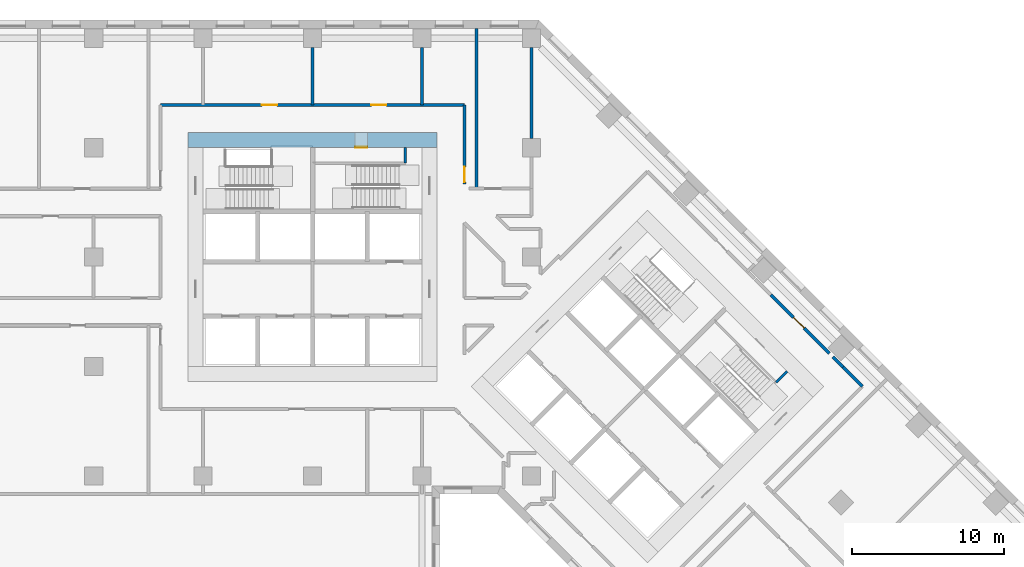
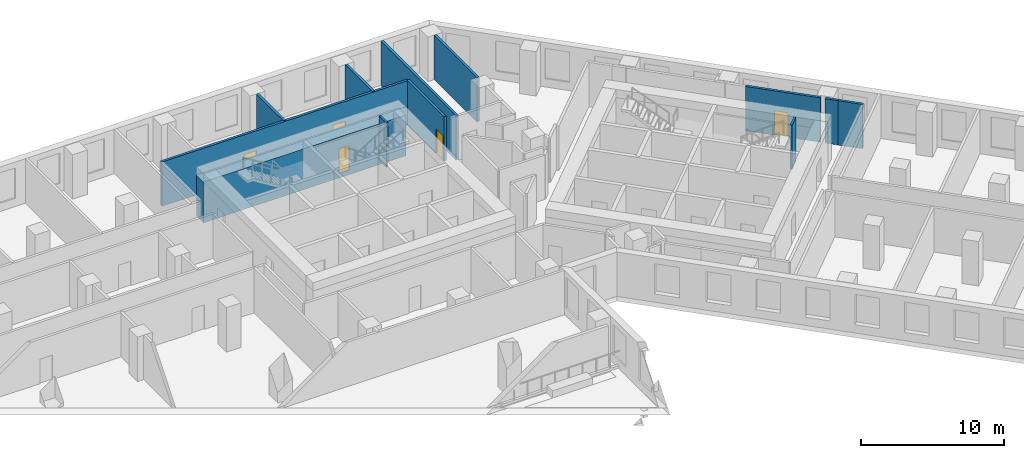
# One storey, part 9 of 13: 12 walls, 5 doors, 5 openings.
"""IFC4 building model written with IfcOpenShell, lengths in metres."""

from ifc_helpers import new_model, si_unit, direction, frame, frame_2d, origin, place, context, subcontext, project, spatial, rectangle, extrude, material, layer, layer_set, type_object, element, fill, save


model = new_model("IFC4")

# Units and contexts
model_context = context("Model", 3, precision=1e-05, world=origin(), true_north=direction((0.0, 1.0)))
body_context = subcontext(model_context, "Body", "Model", "MODEL_VIEW")
ifc_project = project(units=[si_unit("LENGTHUNIT", "METRE"), si_unit("AREAUNIT", "SQUARE_METRE"), si_unit("VOLUMEUNIT", "CUBIC_METRE"), si_unit("PLANEANGLEUNIT", "RADIAN"), si_unit("MASSUNIT", "GRAM", prefix="KILO")], contexts=[model_context])

# Site, building, storey
site_placement = place(None, origin())
site = spatial("IfcSite", under=ifc_project, at=site_placement, CompositionType="ELEMENT")
building_placement = place(site_placement, origin())
building = spatial("IfcBuilding", under=site, at=building_placement, Name="Windrow Commons", CompositionType="ELEMENT")
storey_placement = place(building_placement, frame((0.0, 0.0, 14.4)))
storey = spatial("IfcBuildingStorey", under=building, at=storey_placement, Name="L03", CompositionType="ELEMENT", Elevation=14.4)

# Wall, openings, doors
ifc_material_1 = material(Name="Blockwork partition", Category="masonry")
ifc_layer_1 = layer(ifc_material_1, 0.2)
ifc_layer_set_1 = layer_set([ifc_layer_1], Name="IW-CORRIDOR-200")
wall_type_1 = type_object("IfcWallType", Name="IW-CORRIDOR-200", PredefinedType="PARTITIONING", material=ifc_layer_set_1)
wall_1_placement = place(storey_placement, frame((54.8, 67.6, 0.0), z_axis=(0.0, 0.0, 1.0), x_axis=(1.0, 0.0, 0.0)))
wall_1 = element("IfcWall", 1, at=wall_1_placement, inside=storey, type_object=wall_type_1, Name="W-L03-W007", PredefinedType="PARTITIONING", context=body_context, shape_type="SweptSolid", body=[
    extrude(rectangle(XDim=20.0, YDim=0.2, at=frame_2d((10.0, 0.0))), origin(), (0.0, 0.0, 1.0), 3.8),
])
opening_1_placement = place(wall_1_placement, frame((6.6625, 0.0, 0.0)))
opening_1 = element("IfcOpeningElement", 2, at=opening_1_placement, cuts=wall_1, Name="Opening D310F", PredefinedType="OPENING", context=body_context, shape_type="SweptSolid", body=[
    extrude(rectangle(XDim=1.0, YDim=2.1, at=frame_2d((0.5, 1.05))), frame((0.0, 0.11, 0.0), z_axis=(0.0, -1.0, 0.0), x_axis=(1.0, 0.0, 0.0)), (0.0, 0.0, 1.0), 0.22),
])
opening_2_placement = place(wall_1_placement, frame((13.8625, 0.0, 0.0)))
opening_2 = element("IfcOpeningElement", 3, at=opening_2_placement, cuts=wall_1, Name="Opening D310F", PredefinedType="OPENING", context=body_context, shape_type="SweptSolid", body=[
    extrude(rectangle(XDim=1.0, YDim=2.1, at=frame_2d((0.5, 1.05))), frame((0.0, 0.11, 0.0), z_axis=(0.0, -1.0, 0.0), x_axis=(1.0, 0.0, 0.0)), (0.0, 0.0, 1.0), 0.22),
])
ifc_material_2 = material(Name="Timber door leaf", Category="wood")
door_type_1 = type_object("IfcDoorType", Name="DT-AMENITY-1000", OperationType="SINGLE_SWING_LEFT", PredefinedType="DOOR", material=ifc_material_2)
door_1_placement = place(opening_1_placement, origin())
door_1 = element("IfcDoor", 4, at=door_1_placement, inside=storey, type_object=door_type_1, Name="D-L03-D027", OperationType="SINGLE_SWING_RIGHT", OverallHeight=2.1, OverallWidth=1.0, PredefinedType="DOOR", context=body_context, shape_type="SweptSolid", body=[
    extrude(rectangle(XDim=1.0, YDim=2.1, at=frame_2d((0.5, 1.05))), frame((0.0, 0.025, 0.0), z_axis=(0.0, -1.0, 0.0), x_axis=(1.0, 0.0, 0.0)), (0.0, 0.0, 1.0), 0.05),
])
fill(opening_1, door_1)
door_2_placement = place(opening_2_placement, origin())
door_2 = element("IfcDoor", 5, at=door_2_placement, inside=storey, type_object=door_type_1, Name="D-L03-D028", OperationType="SINGLE_SWING_RIGHT", OverallHeight=2.1, OverallWidth=1.0, PredefinedType="DOOR", context=body_context, shape_type="SweptSolid", body=[
    extrude(rectangle(XDim=1.0, YDim=2.1, at=frame_2d((0.5, 1.05))), frame((0.0, 0.025, 0.0), z_axis=(0.0, -1.0, 0.0), x_axis=(1.0, 0.0, 0.0)), (0.0, 0.0, 1.0), 0.05),
])
fill(opening_2, door_2)

# Wall, opening, door
wall_2_placement = place(storey_placement, frame((94.9553, 55.1193, 0.0), z_axis=(0.0, 0.0, 1.0), x_axis=(0.7072721884, -0.7069413352, 0.0)))
wall_2 = element("IfcWall", 6, at=wall_2_placement, inside=storey, type_object=wall_type_1, Name="W-L03-W045", PredefinedType="PARTITIONING", context=body_context, shape_type="SweptSolid", body=[
    extrude(rectangle(XDim=5.4405, YDim=0.2, at=frame_2d((2.7203, 0.0))), origin(), (0.0, 0.0, 1.0), 3.8),
])
opening_3_placement = place(wall_2_placement, frame((2.1062, 0.0, 0.0)))
opening_3 = element("IfcOpeningElement", 7, at=opening_3_placement, cuts=wall_2, Name="Opening D410F", PredefinedType="OPENING", context=body_context, shape_type="SweptSolid", body=[
    extrude(rectangle(XDim=1.0, YDim=2.1, at=frame_2d((0.5, 1.05))), frame((0.0, 0.11, 0.0), z_axis=(0.0, -1.0, 0.0), x_axis=(1.0, 0.0, 0.0)), (0.0, 0.0, 1.0), 0.22),
])
ifc_material_3 = material(Name="Timber door leaf", Category="wood")
door_type_2 = type_object("IfcDoorType", Name="DT-SERVICE-1000", OperationType="SINGLE_SWING_LEFT", PredefinedType="DOOR", material=ifc_material_3)
door_3_placement = place(opening_3_placement, origin())
door_3 = element("IfcDoor", 8, at=door_3_placement, inside=storey, type_object=door_type_2, Name="D-L03-D030", OperationType="SINGLE_SWING_LEFT", OverallHeight=2.1, OverallWidth=1.0, PredefinedType="DOOR", context=body_context, shape_type="SweptSolid", body=[
    extrude(rectangle(XDim=1.0, YDim=2.1, at=frame_2d((0.5, 1.05))), frame((0.0, 0.025, 0.0), z_axis=(0.0, -1.0, 0.0), x_axis=(1.0, 0.0, 0.0)), (0.0, 0.0, 1.0), 0.05),
])
fill(opening_3, door_3)

wall_3_placement = place(storey_placement, frame((74.8, 62.4, 0.0), z_axis=(0.0, 0.0, 1.0), x_axis=(0.0, 1.0, 0.0)))
wall_3 = element("IfcWall", 9, at=wall_3_placement, inside=storey, type_object=wall_type_1, Name="W-L03-W049", PredefinedType="PARTITIONING", context=body_context, shape_type="SweptSolid", body=[
    extrude(rectangle(XDim=5.2, YDim=0.2, at=frame_2d((2.6, 0.0))), origin(), (0.0, 0.0, 1.0), 3.8),
])
opening_4_placement = place(wall_3_placement, frame((0.1365, 0.0, 0.0)))
opening_4 = element("IfcOpeningElement", 10, at=opening_4_placement, cuts=wall_3, Name="Opening D310F", PredefinedType="OPENING", context=body_context, shape_type="SweptSolid", body=[
    extrude(rectangle(XDim=1.0, YDim=2.1, at=frame_2d((0.5, 1.05))), frame((0.0, 0.11, 0.0), z_axis=(0.0, -1.0, 0.0), x_axis=(1.0, 0.0, 0.0)), (0.0, 0.0, 1.0), 0.22),
])
door_4_placement = place(opening_4_placement, origin())
door_4 = element("IfcDoor", 11, at=door_4_placement, inside=storey, type_object=door_type_1, Name="D-L03-D025", OperationType="SINGLE_SWING_RIGHT", OverallHeight=2.1, OverallWidth=1.0, PredefinedType="DOOR", context=body_context, shape_type="SweptSolid", body=[
    extrude(rectangle(XDim=1.0, YDim=2.1, at=frame_2d((0.5, 1.05))), frame((0.0, 0.025, 0.0), z_axis=(0.0, -1.0, 0.0), x_axis=(1.0, 0.0, 0.0)), (0.0, 0.0, 1.0), 0.05),
])
fill(opening_4, door_4)

# Walls
wall_4_placement = place(storey_placement, frame((99.7031, 50.3591, 0.0), z_axis=(0.0, 0.0, 1.0), x_axis=(0.7071067812, -0.7071067812, 0.0)))
element("IfcWall", 12, at=wall_4_placement, inside=storey, type_object=wall_type_1, Name="W-L03-W090", PredefinedType="PARTITIONING", context=body_context, shape_type="SweptSolid", body=[
    extrude(rectangle(XDim=1.7989, YDim=0.2, at=frame_2d((0.8994, 0.0))), origin(), (0.0, 0.0, 1.0), 3.8),
])
wall_5_placement = place(storey_placement, frame((99.037, 51.0389, 0.0), z_axis=(0.0, 0.0, 1.0), x_axis=(0.706055323, -0.7081566782, 0.0)))
element("IfcWall", 13, at=wall_5_placement, inside=storey, type_object=wall_type_1, Name="W-L03-W102", PredefinedType="PARTITIONING", context=body_context, shape_type="SweptSolid", body=[
    extrude(rectangle(XDim=0.9518, YDim=0.2, at=frame_2d((0.4759, 0.0))), origin(), (0.0, 0.0, 1.0), 3.8),
])
ifc_material_4 = material(Name="Blockwork partition", Category="masonry")
ifc_layer_2 = layer(ifc_material_4, 0.2)
ifc_layer_set_2 = layer_set([ifc_layer_2], Name="IW-PARTY-200")
wall_type_2 = type_object("IfcWallType", Name="IW-PARTY-200", PredefinedType="PARTITIONING", material=ifc_layer_set_2)
wall_6_placement = place(storey_placement, frame((75.6, 62.1, 0.0), z_axis=(0.0, 0.0, 1.0), x_axis=(0.0, 1.0, 0.0)))
element("IfcWall", 14, at=wall_6_placement, inside=storey, type_object=wall_type_2, Name="W-L03-W025", PredefinedType="PARTITIONING", context=body_context, shape_type="SweptSolid", body=[
    extrude(rectangle(XDim=10.55, YDim=0.2, at=frame_2d((5.275, 0.0))), origin(), (0.0, 0.0, 1.0), 3.8),
])
wall_7_placement = place(storey_placement, frame((79.2, 65.4, 0.0), z_axis=(0.0, 0.0, 1.0), x_axis=(0.0, 1.0, 0.0)))
element("IfcWall", 15, at=wall_7_placement, inside=storey, type_object=wall_type_2, Name="W-L03-W037", PredefinedType="PARTITIONING", context=body_context, shape_type="SweptSolid", body=[
    extrude(rectangle(XDim=6.0, YDim=0.2, at=frame_2d((3.0, 0.0))), origin(), (0.0, 0.0, 1.0), 3.8),
])
for number, where, z_axis, x_axis, name in (
    (16, (64.8, 67.6, 0.0), (0.0, 0.0, 1.0), (0.0, 1.0, 0.0), "W-L03-W054"),
    (17, (72.0, 67.6, 0.0), (0.0, 0.0, 1.0), (0.0, 1.0, 0.0), "W-L03-W055"),
):
    element("IfcWall", number, at=place(storey_placement, frame(where, z_axis=z_axis, x_axis=x_axis)), inside=storey, type_object=wall_type_2, Name=name, PredefinedType="PARTITIONING", context=body_context, shape_type="SweptSolid", body=[
        extrude(rectangle(XDim=3.8, YDim=0.2, at=frame_2d((1.9, 0.0))), origin(), (0.0, 0.0, 1.0), 3.8),
    ])

# Wall, opening, door
ifc_material_5 = material(Name="Concrete C60/75", Category="concrete")
ifc_layer_3 = layer(ifc_material_5, 1.0)
ifc_layer_set_3 = layer_set([ifc_layer_3], Name="RC CORE WALL 1000 C60/75")
wall_type_3 = type_object("IfcWallType", Name="RC CORE WALL 1000 C60/75", PredefinedType="SHEAR", material=ifc_layer_set_3)
wall_8_placement = place(storey_placement, frame((56.6, 65.3, -0.4), z_axis=(0.0, 0.0, 1.0), x_axis=(1.0, 0.0, 0.0)))
wall_8 = element("IfcWall", 18, at=wall_8_placement, inside=storey, type_object=wall_type_3, Name="Core A wall outer-N", PredefinedType="SHEAR", context=body_context, shape_type="SweptSolid", body=[
    extrude(rectangle(XDim=16.4, YDim=1.0, at=frame_2d((8.2, 0.0))), origin(), (0.0, 0.0, 1.0), 3.5),
])
opening_5_placement = place(wall_8_placement, frame((11.0, 0.0, 0.4)))
opening_5 = element("IfcOpeningElement", 19, at=opening_5_placement, cuts=wall_8, Name="Opening D9", PredefinedType="OPENING", context=body_context, shape_type="SweptSolid", body=[
    extrude(rectangle(XDim=0.8, YDim=2.1, at=frame_2d((0.4, 1.05))), frame((0.0, 0.51, 0.0), z_axis=(0.0, -1.0, 0.0), x_axis=(1.0, 0.0, 0.0)), (0.0, 0.0, 1.0), 1.02),
])
ifc_material_6 = material(Name="Steel fire door leaf", Category="steel")
door_type_3 = type_object("IfcDoorType", Name="Riser access door 800", OperationType="SINGLE_SWING_LEFT", PredefinedType="DOOR", material=ifc_material_6)
door_5_placement = place(opening_5_placement, origin())
door_5 = element("IfcDoor", 20, at=door_5_placement, inside=storey, type_object=door_type_3, Name="Riser access door", OperationType="SINGLE_SWING_RIGHT", OverallHeight=2.1, OverallWidth=0.8, PredefinedType="DOOR", context=body_context, shape_type="SweptSolid", body=[
    extrude(rectangle(XDim=0.8, YDim=2.1, at=frame_2d((0.4, 1.05))), frame((0.0, -0.44, 0.0), z_axis=(0.0, -1.0, 0.0), x_axis=(1.0, 0.0, 0.0)), (0.0, 0.0, 1.0), 0.05),
])
fill(opening_5, door_5)

# Walls
ifc_material_7 = material(Name="Blockwork partition", Category="masonry")
ifc_layer_4 = layer(ifc_material_7, 0.15)
ifc_layer_set_4 = layer_set([ifc_layer_4], Name="Riser partition 150")
wall_type_4 = type_object("IfcWallType", Name="Riser partition 150", PredefinedType="PARTITIONING", material=ifc_layer_set_4)
for number, where, z_axis, x_axis, name in (
    (21, (70.9, 63.78, 0.0), (0.0, 0.0, 1.0), (0.0, 1.0, 0.0), "W-core-stripx-A-L03-1"),
    (22, (95.3079, 49.3584, 0.0), (0.0, 0.0, 1.0), (0.70705776, 0.707155799, 0.0), "W-core-stripx-B-L03-1"),
):
    element("IfcWall", number, at=place(storey_placement, frame(where, z_axis=z_axis, x_axis=x_axis)), inside=storey, type_object=wall_type_4, Name=name, PredefinedType="PARTITIONING", context=body_context, shape_type="SweptSolid", body=[
        extrude(rectangle(XDim=1.02, YDim=0.15, at=frame_2d((0.51, 0.0))), origin(), (0.0, 0.0, 1.0), 3.8),
    ])

save(model, "model.ifc")
